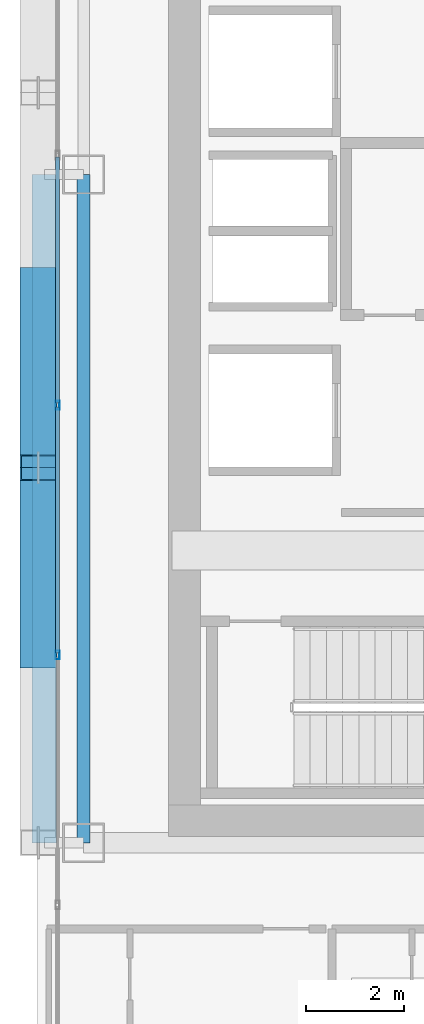
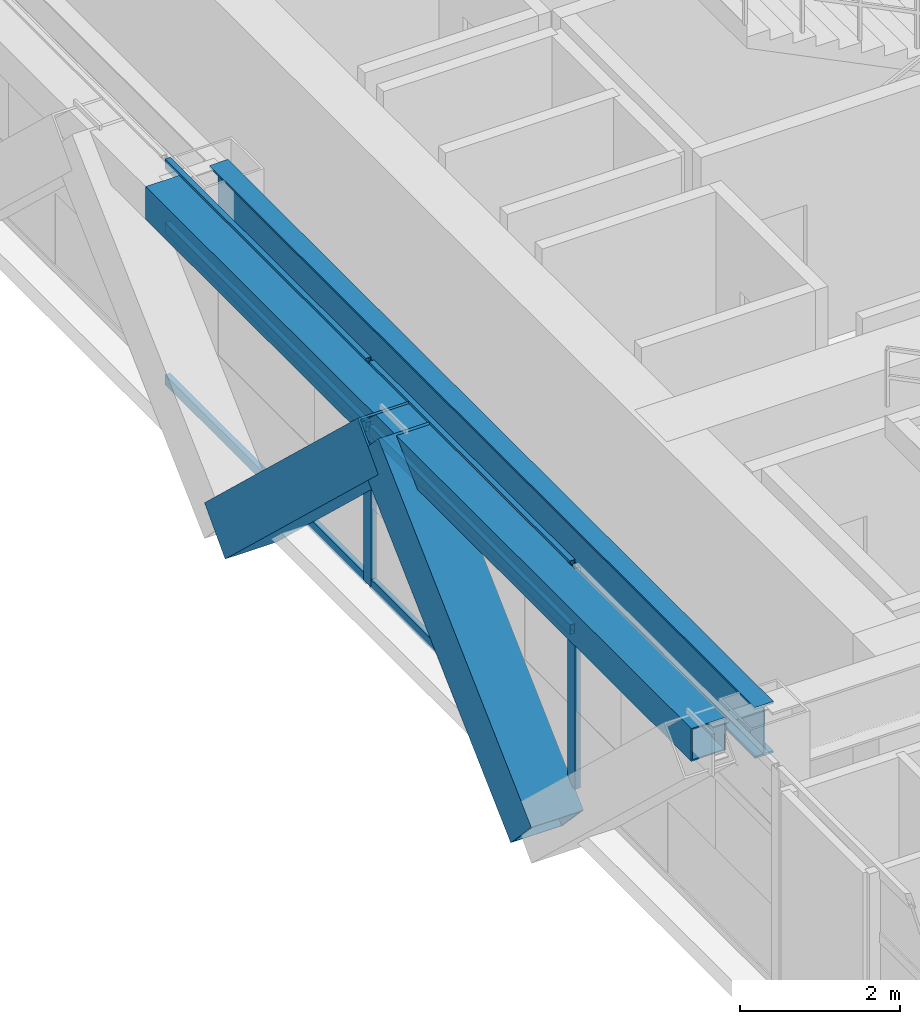
# One storey, part 6 of 36: 10 members, 2 beams, 1 element without a shape of its own.
"""IFC4 building model written with IfcOpenShell, lengths in metres."""

import ifcopenshell
import ifcopenshell.guid

model = None  # the IFC model being written
_history = None  # IfcOwnerHistory: only IFC2X3 demands one
_inside = {}  # id of a spatial element -> (the spatial element, [elements in it])
_under = {}  # id of a project, library or spatial element -> (it, [spatial elements below it])
_declared = {}  # id of a project -> (the project, [libraries it declares])
_typed = {}  # id of a type object -> (the type object, [elements of that type])
_made_of = {}  # id of a material, layer set ... -> (it, [elements and type objects made of it])


def new_model(schema):
    """Start an empty IFC model of exactly this schema.

    Asked for "IFC4X3", IfcOpenShell would pick the latest addendum, in which some entities
    have other attributes; the version numbers below select the first issue.
    IFC2X3 requires an IfcOwnerHistory on every rooted entity: one is made here for all.
    """
    global model, _history
    if schema == "IFC4X3":
        model = ifcopenshell.file(schema_version=(4, 3, 0, 0))
    else:
        model = ifcopenshell.file(schema=schema)
    _inside.clear()
    _under.clear()
    _declared.clear()
    _typed.clear()
    _made_of.clear()
    _history = None
    if model.schema == "IFC2X3":
        org = make("IfcOrganization", Name="unknown")
        user = make(
            "IfcPersonAndOrganization",
            ThePerson=make("IfcPerson", FamilyName="unknown"),
            TheOrganization=org,
        )
        app = make(
            "IfcApplication",
            ApplicationDeveloper=org,
            Version="unknown",
            ApplicationFullName="unknown",
            ApplicationIdentifier="unknown",
        )
        _history = make(
            "IfcOwnerHistory",
            OwningUser=user,
            OwningApplication=app,
            ChangeAction="ADDED",
            CreationDate=0,
        )
    return model


def make(cls, **values):
    """One entity of the class cls with the attributes given. An attribute that is None is left unset."""
    return model.create_entity(
        cls, **{name: value for name, value in values.items() if value is not None}
    )


def rooted(cls, **values):
    """An entity with a GlobalId (a new one), such as an element, a storey or a relation."""
    return make(cls, GlobalId=ifcopenshell.guid.new(), OwnerHistory=_history, **values)


def si_unit(unit_type, name, prefix=None):
    """IfcSIUnit, for example si_unit("LENGTHUNIT", "METRE", prefix="MILLI")."""
    return make("IfcSIUnit", UnitType=unit_type, Prefix=prefix, Name=name)


def assignment(units):
    """IfcUnitAssignment: the units of a project."""
    return None if units is None else make("IfcUnitAssignment", Units=units)


def point(xyz):
    """IfcCartesianPoint."""
    return None if xyz is None else make("IfcCartesianPoint", Coordinates=xyz)


def direction(xyz):
    """IfcDirection."""
    return None if xyz is None else make("IfcDirection", DirectionRatios=xyz)


def frame(location, z_axis=None, x_axis=None):
    """IfcAxis2Placement3D, a coordinate frame: its origin and axes. An axis left out is left unset."""
    return make(
        "IfcAxis2Placement3D",
        Location=point(location),
        Axis=direction(z_axis),
        RefDirection=direction(x_axis),
    )


def frame_2d(location, x_axis=None):
    """IfcAxis2Placement2D, a coordinate frame in the plane: its origin and x axis."""
    return make(
        "IfcAxis2Placement2D", Location=point(location), RefDirection=direction(x_axis)
    )


def origin():
    """The frame at (0, 0, 0) with its axes left unset."""
    return frame((0.0, 0.0, 0.0))


def origin_2d():
    """The frame at (0, 0) in the plane with its x axis left unset."""
    return frame_2d((0.0, 0.0))


def place(relative_to, where):
    """IfcLocalPlacement: puts the frame where relative to a parent placement (None: the world)."""
    return make(
        "IfcLocalPlacement", PlacementRelTo=relative_to, RelativePlacement=where
    )


def context(
    kind, dimensions, precision=None, world=None, true_north=None, identifier=None
):
    """IfcGeometricRepresentationContext, for example the 3D "Model" context."""
    return make(
        "IfcGeometricRepresentationContext",
        ContextIdentifier=identifier,
        ContextType=kind,
        CoordinateSpaceDimension=dimensions,
        Precision=precision,
        WorldCoordinateSystem=world,
        TrueNorth=true_north,
    )


def subcontext(parent, identifier, kind, view, scale=None):
    """IfcGeometricRepresentationSubContext, for example "Body" below "Model"."""
    return make(
        "IfcGeometricRepresentationSubContext",
        ContextIdentifier=identifier,
        ContextType=kind,
        ParentContext=parent,
        TargetScale=scale,
        TargetView=view,
    )


def project(units=None, contexts=None):
    """IfcProject with its units and contexts."""
    return rooted(
        "IfcProject",
        Name="project",
        RepresentationContexts=contexts,
        UnitsInContext=assignment(units),
    )


def spatial(cls, under=None, at=None, **own):
    """A site, building, storey or space (cls), placed at a placement, below another one or the project."""
    s = rooted(cls, ObjectPlacement=at, **own)
    if under is not None:
        _under.setdefault(under.id(), (under, []))[1].append(s)
    return s


def profile(cls, at=None, kind="AREA", **sizes):
    """A parametric profile (cls). Its sizes go by their IFC names, for example OverallWidth=200.0."""
    return make(cls, ProfileType=kind, Position=at, **sizes)


def hollow_rectangle(**sizes):
    """IfcRectangleHollowProfileDef."""
    return profile("IfcRectangleHollowProfileDef", **sizes)


def i_section(**sizes):
    """IfcIShapeProfileDef."""
    return profile("IfcIShapeProfileDef", **sizes)


def extrude(swept, where, along, depth):
    """IfcExtrudedAreaSolid: the profile swept, set in the frame where, extruded along a direction by depth."""
    return make(
        "IfcExtrudedAreaSolid",
        SweptArea=swept,
        Position=where,
        ExtrudedDirection=direction(along),
        Depth=depth,
    )


def shape(context_of_items, identifier, shape_type, items):
    """IfcShapeRepresentation: the items that make up one representation, for example the "Body"."""
    return make(
        "IfcShapeRepresentation",
        ContextOfItems=context_of_items,
        RepresentationIdentifier=identifier,
        RepresentationType=shape_type,
        Items=items,
    )


def source(mapping_origin, context_of_items, identifier, shape_type, items):
    """IfcRepresentationMap: a shape defined once, which mapped items show again and again."""
    return make(
        "IfcRepresentationMap",
        MappingOrigin=mapping_origin,
        MappedRepresentation=shape(context_of_items, identifier, shape_type, items),
    )


def transform(
    local_origin,
    x_axis=None,
    y_axis=None,
    z_axis=None,
    scale=None,
    scale2=None,
    scale3=None,
    uniform=True,
):
    """IfcCartesianTransformationOperator3D, or its non-uniform kind. x_axis, y_axis, z_axis: its Axis1, 2, 3."""
    if uniform:
        return make(
            "IfcCartesianTransformationOperator3D",
            Axis1=direction(x_axis),
            Axis2=direction(y_axis),
            LocalOrigin=point(local_origin),
            Scale=scale,
            Axis3=direction(z_axis),
        )
    return make(
        "IfcCartesianTransformationOperator3DnonUniform",
        Axis1=direction(x_axis),
        Axis2=direction(y_axis),
        LocalOrigin=point(local_origin),
        Scale=scale,
        Axis3=direction(z_axis),
        Scale2=scale2,
        Scale3=scale3,
    )


def mapped(mapping_source, mapping_target):
    """IfcMappedItem: shows the shape of a source again, moved by a transform."""
    return make(
        "IfcMappedItem", MappingSource=mapping_source, MappingTarget=mapping_target
    )


def material(Name=None, Category=None):
    """IfcMaterial."""
    return make("IfcMaterial", Name=Name, Category=Category)


def layer(
    of_material, thickness, ventilated=None, Name=None, Category=None, Priority=None
):
    """IfcMaterialLayer: one layer of a wall or slab, of a material (None: an air gap)."""
    return make(
        "IfcMaterialLayer",
        Material=of_material,
        LayerThickness=thickness,
        IsVentilated=ventilated,
        Name=Name,
        Category=Category,
        Priority=Priority,
    )


def layer_set(layers, Name=None):
    """IfcMaterialLayerSet."""
    return make("IfcMaterialLayerSet", MaterialLayers=layers, LayerSetName=Name)


def material_profile(
    of_material, cross_section, Name=None, Category=None, Priority=None
):
    """IfcMaterialProfile: a cross section and its material."""
    return make(
        "IfcMaterialProfile",
        Name=Name,
        Material=of_material,
        Profile=cross_section,
        Priority=Priority,
        Category=Category,
    )


def profile_set(profiles, Name=None, composite=None):
    """IfcMaterialProfileSet."""
    return make(
        "IfcMaterialProfileSet",
        Name=Name,
        MaterialProfiles=profiles,
        CompositeProfile=composite,
    )


def made_of(thing, what):
    """Note that an element or type object is made of a material, layer set ...; save() writes the relation."""
    if what is not None:
        _made_of.setdefault(what.id(), (what, []))[1].append(thing)
    return thing


def type_object(cls, material=None, **own):
    """A type object (cls), such as IfcWallType, which elements share."""
    return made_of(rooted(cls, **own), material)


def element(
    cls,
    number,
    at=None,
    inside=None,
    cuts=None,
    type_object=None,
    material=None,
    context=None,
    identifier="Body",
    shape_type=None,
    held_by="IfcProductDefinitionShape",
    body=None,
    shapes=None,
    **own,
):
    """One element of the class cls, such as IfcWall. Its Tag is "e" and its number.

    at: its placement. inside: the storey or other place that contains it. cuts: it is an
    opening in that element (IfcRelVoidsElement). A single representation is given by context,
    identifier, shape_type and body (its items); several are given by shapes. held_by: the class
    of the entity that holds the representations. save() writes the other relations.
    """
    e = rooted(cls, Tag="e%d" % number, ObjectPlacement=at, **own)
    if body is not None:
        shapes = [shape(context, identifier, shape_type, body)]
    if shapes is not None:
        e.Representation = make(held_by, Representations=shapes)
    if inside is not None:
        _inside.setdefault(inside.id(), (inside, []))[1].append(e)
    if cuts is not None:
        rooted(
            "IfcRelVoidsElement", RelatingBuildingElement=cuts, RelatedOpeningElement=e
        )
    if type_object is not None:
        _typed.setdefault(type_object.id(), (type_object, []))[1].append(e)
    return made_of(e, material)


def aggregate(whole, parts):
    """IfcRelAggregates: a whole, such as a stair, and the parts it consists of."""
    return rooted("IfcRelAggregates", RelatingObject=whole, RelatedObjects=parts)


def save(model, path):
    """Write the relations noted so far, then the file.

    IfcRelAggregates (storeys below a building ...), IfcRelContainedInSpatialStructure (elements
    in a storey), IfcRelDefinesByType, IfcRelAssociatesMaterial and IfcRelDeclares: one each for
    every whole, place, type object, material and project.
    """
    for whole, parts in _under.values():
        aggregate(whole, parts)
    for where, things in _inside.values():
        rooted(
            "IfcRelContainedInSpatialStructure",
            RelatedElements=things,
            RelatingStructure=where,
        )
    for kind, things in _typed.values():
        rooted("IfcRelDefinesByType", RelatedObjects=things, RelatingType=kind)
    for what, things in _made_of.values():
        rooted("IfcRelAssociatesMaterial", RelatedObjects=things, RelatingMaterial=what)
    for by, libraries in _declared.values():
        rooted("IfcRelDeclares", RelatingContext=by, RelatedDefinitions=libraries)
    model.write(path)


model = new_model("IFC4")

# Units and contexts
model_context = context("Model", 3, precision=1e-05, world=origin(), true_north=direction((0.0, 1.0)))
body_context = subcontext(model_context, "Body", "Model", "MODEL_VIEW")
ifc_project = project(units=[si_unit("LENGTHUNIT", "METRE"), si_unit("AREAUNIT", "SQUARE_METRE"), si_unit("VOLUMEUNIT", "CUBIC_METRE"), si_unit("PLANEANGLEUNIT", "RADIAN"), si_unit("MASSUNIT", "GRAM", prefix="KILO")], contexts=[model_context])

# Site, building, storey
site_placement = place(None, origin())
site = spatial("IfcSite", under=ifc_project, at=site_placement, CompositionType="ELEMENT")
building_placement = place(site_placement, origin())
building = spatial("IfcBuilding", under=site, at=building_placement, Name="Ocotamira Hotel", CompositionType="ELEMENT")
storey_placement = place(building_placement, frame((0.0, 0.0, 129.60009765625)))
storey = spatial("IfcBuildingStorey", under=building, at=storey_placement, Name="L32", CompositionType="ELEMENT", Elevation=129.60009765625)

# Beams
ifc_material_1 = material(Name="Steel ASTM A992 Grade 50", Category="steel")
ifc_material_profile_1 = material_profile(ifc_material_1, i_section(OverallWidth=0.26611328125, OverallDepth=0.779052734375, WebThickness=0.0166015625, FlangeThickness=0.030029296875, FilletRadius=0.01806640625, at=origin_2d()), Name="W30X148")
ifc_profile_set_1 = profile_set([ifc_material_profile_1], Name="Steel ASTM A992 Grade 50")
beam_type_1 = type_object("IfcBeamType", Name="BM-GIRD-W30X148", PredefinedType="BEAM", material=ifc_profile_set_1)
shared_shape_1 = source(origin(), body_context, "Body", "SweptSolid", [
    extrude(i_section(OverallWidth=0.26611328125, OverallDepth=0.779052734375, WebThickness=0.0166015625, FlangeThickness=0.030029296875, FilletRadius=0.01806640625, at=origin_2d()), origin(), (0.0, 0.0, 1.0), 13.599853515625),
])
beam_1_placement = place(storey_placement, frame((8.949951171875, 14.550048828125, 2.970458984375), z_axis=(0.0, 1.0, 0.0), x_axis=(-1.0, 0.0, 0.0)))
element("IfcBeam", 1, at=beam_1_placement, inside=storey, type_object=beam_type_1, Name="L32 Beam X8.95 Y14.55-28.15", PredefinedType="BEAM", context=body_context, shape_type="MappedRepresentation", body=[
    mapped(shared_shape_1, transform((0.0, 0.0, 0.0), scale=1.0)),
])
ifc_material_2 = material(Name="Steel ASTM A500 Grade C", Category="steel")
ifc_material_profile_2 = material_profile(ifc_material_2, hollow_rectangle(XDim=0.5, YDim=0.5, WallThickness=0.02001953125, at=origin_2d()), Name="HSS500X500X20")
ifc_profile_set_2 = profile_set([ifc_material_profile_2], Name="Steel ASTM A500 Grade C")
beam_type_2 = type_object("IfcBeamType", Name="BM-SPAN-HSS500", PredefinedType="USERDEFINED", material=ifc_profile_set_2)
shared_shape_2 = source(origin(), body_context, "Body", "SweptSolid", [
    extrude(hollow_rectangle(XDim=0.5, YDim=0.5, WallThickness=0.02001953125, at=origin_2d()), origin(), (0.0, 0.0, 1.0), 13.599853515625),
])
beam_2_placement = place(storey_placement, frame((8.14990234375, 14.550048828125, 3.10986328125), z_axis=(0.0, 1.0, 0.0), x_axis=(-1.0, 0.0, 0.0)))
element("IfcBeam", 2, at=beam_2_placement, inside=storey, type_object=beam_type_2, Name="L32 Edge Spandrel W Y14.55-28.15", ObjectType="SPANDREL", PredefinedType="USERDEFINED", context=body_context, shape_type="MappedRepresentation", body=[
    mapped(shared_shape_2, transform((0.0, 0.0, 0.0), scale=1.0)),
])

# Members
ifc_material_3 = material(Name="Pale-metal coated steel ASTM A913 Grade 65", Category="steel")
ifc_material_profile_3 = material_profile(ifc_material_3, hollow_rectangle(XDim=0.75, YDim=0.75, WallThickness=0.028076171875, at=origin_2d()), Name="BOX750X750X28")
ifc_profile_set_3 = profile_set([ifc_material_profile_3], Name="Pale-metal coated steel ASTM A913 Grade 65")
member_type_1 = type_object("IfcMemberType", Name="MEM-EXO-BOX750", PredefinedType="BRACE", material=ifc_profile_set_3)
shared_shape_3 = source(origin(), body_context, "Body", "SweptSolid", [
    extrude(hollow_rectangle(XDim=0.75, YDim=0.75, WallThickness=0.028076171875, at=origin_2d()), origin(), (0.0, 0.0, 1.0), 5.24658203125),
])
for number, where, z_axis, x_axis, name in (
    (3, (8.030029296875, 18.36669921875, -0.489990234375), (0.0, 0.72746596067, 0.686143772154), (-1.0, 0.0, 0.0), "L32 Exoskeleton Diagrid W0.2"),
    (4, (8.030029296875, 26.0, -0.489990234375), (0.0, -0.72746596067, 0.686143772154), (1.0, 0.0, 0.0), "L32 Exoskeleton Diagrid W1.1"),
):
    element("IfcMember", number, at=place(storey_placement, frame(where, z_axis=z_axis, x_axis=x_axis)), inside=storey, type_object=member_type_1, Name=name, PredefinedType="BRACE", context=body_context, shape_type="MappedRepresentation", body=[
        mapped(shared_shape_3, transform((0.0, 0.0, 0.0), scale=1.0)),
    ])

# Curtain wall, members
ifc_material_4 = material(Name="Anodised pale-metal aluminium and solar glass", Category="aluminium")
ifc_layer = layer(ifc_material_4, 0.179931640625)
ifc_layer_set = layer_set([ifc_layer], Name="Anodised pale-metal aluminium and solar glass")
curtain_wall_type = type_object("IfcCurtainWallType", Name="CW-SYS3-Z2", PredefinedType="NOTDEFINED", material=ifc_layer_set)
curtain_wall_placement = place(storey_placement, origin())
curtain_wall = element("IfcCurtainWall", 5, at=curtain_wall_placement, inside=storey, type_object=curtain_wall_type, Name="L32 Curtain Wall CW-3 CW-L32-W", PredefinedType="NOTDEFINED")
ifc_material_5 = material(Name="Anodised pale-metal aluminium 6063-T6", Category="aluminium")
ifc_material_profile_4 = material_profile(ifc_material_5, hollow_rectangle(XDim=0.074951171875, YDim=0.14990234375, WallThickness=0.006103515625, at=origin_2d()), Name="HSS150X75X6")
ifc_profile_set_4 = profile_set([ifc_material_profile_4], Name="Anodised pale-metal aluminium 6063-T6")
member_type_2 = type_object("IfcMemberType", Name="CWT-150X75", PredefinedType="USERDEFINED", material=ifc_profile_set_4)
shared_shape_4 = source(origin(), body_context, "Body", "SweptSolid", [
    extrude(hollow_rectangle(XDim=0.074951171875, YDim=0.14990234375, WallThickness=0.006103515625, at=origin_2d()), origin(), (0.0, 0.0, 1.0), 5.005859375),
])
member_1_placement = place(storey_placement, frame((8.419921875, 18.411376953125, 0.037353515625), z_axis=(0.0, 1.0, 0.0), x_axis=(-1.0, 0.0, 0.0)))
member_1 = element("IfcMember", 6, at=member_1_placement, type_object=member_type_2, Name="CW-3 transom 3.1", ObjectType="TRANSOM", PredefinedType="USERDEFINED", context=body_context, shape_type="MappedRepresentation", body=[
    mapped(shared_shape_4, transform((0.0, 0.0, 0.0), scale=1.0)),
])
member_2_placement = place(storey_placement, frame((8.419921875, 18.411376953125, 2.349853515625), z_axis=(0.0, 1.0, 0.0), x_axis=(-1.0, 0.0, 0.0)))
member_2 = element("IfcMember", 7, at=member_2_placement, type_object=member_type_2, Name="CW-3 transom 3.2", ObjectType="TRANSOM", PredefinedType="USERDEFINED", context=body_context, shape_type="MappedRepresentation", body=[
    mapped(shared_shape_4, transform((0.0, 0.0, 0.0), scale=1.0)),
])
member_3_placement = place(storey_placement, frame((8.419921875, 18.411376953125, 3.322509765625), z_axis=(0.0, 1.0, 0.0), x_axis=(-1.0, 0.0, 0.0)))
member_3 = element("IfcMember", 8, at=member_3_placement, type_object=member_type_2, Name="CW-3 transom 3.3", ObjectType="TRANSOM", PredefinedType="USERDEFINED", context=body_context, shape_type="MappedRepresentation", body=[
    mapped(shared_shape_4, transform((0.0, 0.0, 0.0), scale=1.0)),
])
member_4_placement = place(storey_placement, frame((8.419921875, 23.4970703125, 0.037353515625), z_axis=(0.0, 1.0, 0.0), x_axis=(-1.0, 0.0, 0.0)))
member_4 = element("IfcMember", 9, at=member_4_placement, type_object=member_type_2, Name="CW-3 transom 4.1", ObjectType="TRANSOM", PredefinedType="USERDEFINED", context=body_context, shape_type="MappedRepresentation", body=[
    mapped(shared_shape_4, transform((0.0, 0.0, 0.0), scale=1.0)),
])
member_5_placement = place(storey_placement, frame((8.419921875, 23.4970703125, 2.349853515625), z_axis=(0.0, 1.0, 0.0), x_axis=(-1.0, 0.0, 0.0)))
member_5 = element("IfcMember", 10, at=member_5_placement, type_object=member_type_2, Name="CW-3 transom 4.2", ObjectType="TRANSOM", PredefinedType="USERDEFINED", context=body_context, shape_type="MappedRepresentation", body=[
    mapped(shared_shape_4, transform((0.0, 0.0, 0.0), scale=1.0)),
])
member_6_placement = place(storey_placement, frame((8.419921875, 23.4970703125, 3.322509765625), z_axis=(0.0, 1.0, 0.0), x_axis=(-1.0, 0.0, 0.0)))
member_6 = element("IfcMember", 11, at=member_6_placement, type_object=member_type_2, Name="CW-3 transom 4.3", ObjectType="TRANSOM", PredefinedType="USERDEFINED", context=body_context, shape_type="MappedRepresentation", body=[
    mapped(shared_shape_4, transform((0.0, 0.0, 0.0), scale=1.0)),
])
ifc_material_profile_5 = material_profile(ifc_material_5, hollow_rectangle(XDim=0.080078125, YDim=0.179931640625, WallThickness=0.006103515625, at=origin_2d()), Name="HSS180X80X6")
ifc_profile_set_5 = profile_set([ifc_material_profile_5], Name="Anodised pale-metal aluminium 6063-T6")
member_type_3 = type_object("IfcMemberType", Name="CWM-180X75", PredefinedType="MULLION", material=ifc_profile_set_5)
shared_shape_5 = source(origin(), body_context, "Body", "SweptSolid", [
    extrude(hollow_rectangle(XDim=0.080078125, YDim=0.179931640625, WallThickness=0.006103515625, at=origin_2d()), origin(), (0.0, 0.0, 1.0), 3.35986328125),
])
member_7_placement = place(storey_placement, frame((8.419921875, 18.371337890625, 0.0), z_axis=(0.0, 0.0, 1.0), x_axis=(-1.0, 0.0, 0.0)))
member_7 = element("IfcMember", 12, at=member_7_placement, type_object=member_type_3, Name="CW-3 mullion 3", PredefinedType="MULLION", context=body_context, shape_type="MappedRepresentation", body=[
    mapped(shared_shape_5, transform((0.0, 0.0, 0.0), scale=1.0)),
])
member_8_placement = place(storey_placement, frame((8.419921875, 23.45703125, 0.0), z_axis=(0.0, 0.0, 1.0), x_axis=(-1.0, 0.0, 0.0)))
member_8 = element("IfcMember", 13, at=member_8_placement, type_object=member_type_3, Name="CW-3 mullion 4", PredefinedType="MULLION", context=body_context, shape_type="MappedRepresentation", body=[
    mapped(shared_shape_5, transform((0.0, 0.0, 0.0), scale=1.0)),
])
aggregate(curtain_wall, [member_7, member_8, member_1, member_2, member_3, member_4, member_5, member_6])

save(model, "model.ifc")
